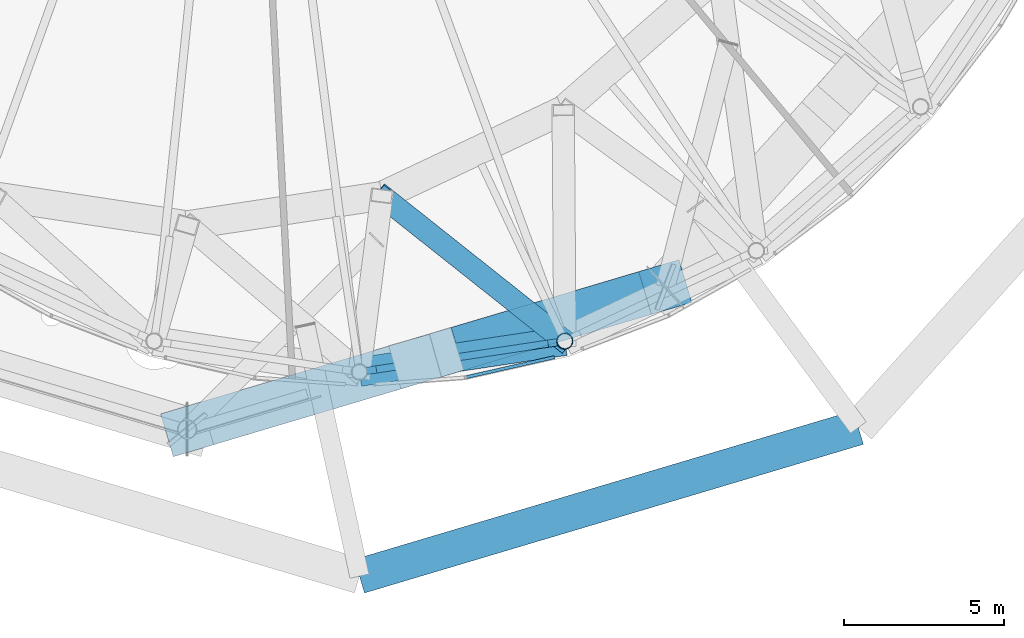
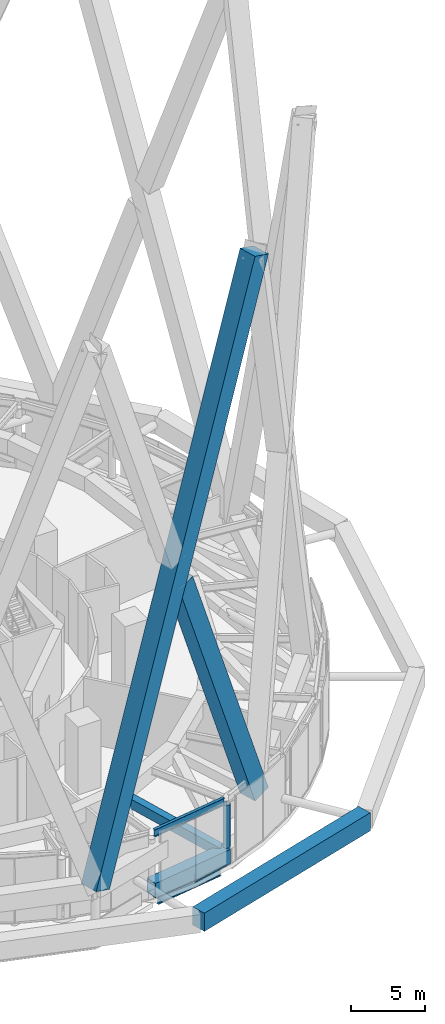
# One storey, part 15 of 60: 5 members, 4 beams, 1 element without a shape of its own.
"""IFC4 building model written with IfcOpenShell, lengths in metres."""

import ifcopenshell
import ifcopenshell.guid

model = None  # the IFC model being written
_history = None  # IfcOwnerHistory: only IFC2X3 demands one
_inside = {}  # id of a spatial element -> (the spatial element, [elements in it])
_under = {}  # id of a project, library or spatial element -> (it, [spatial elements below it])
_declared = {}  # id of a project -> (the project, [libraries it declares])
_typed = {}  # id of a type object -> (the type object, [elements of that type])
_made_of = {}  # id of a material, layer set ... -> (it, [elements and type objects made of it])


def new_model(schema):
    """Start an empty IFC model of exactly this schema.

    Asked for "IFC4X3", IfcOpenShell would pick the latest addendum, in which some entities
    have other attributes; the version numbers below select the first issue.
    IFC2X3 requires an IfcOwnerHistory on every rooted entity: one is made here for all.
    """
    global model, _history
    if schema == "IFC4X3":
        model = ifcopenshell.file(schema_version=(4, 3, 0, 0))
    else:
        model = ifcopenshell.file(schema=schema)
    _inside.clear()
    _under.clear()
    _declared.clear()
    _typed.clear()
    _made_of.clear()
    _history = None
    if model.schema == "IFC2X3":
        org = make("IfcOrganization", Name="unknown")
        user = make(
            "IfcPersonAndOrganization",
            ThePerson=make("IfcPerson", FamilyName="unknown"),
            TheOrganization=org,
        )
        app = make(
            "IfcApplication",
            ApplicationDeveloper=org,
            Version="unknown",
            ApplicationFullName="unknown",
            ApplicationIdentifier="unknown",
        )
        _history = make(
            "IfcOwnerHistory",
            OwningUser=user,
            OwningApplication=app,
            ChangeAction="ADDED",
            CreationDate=0,
        )
    return model


def make(cls, **values):
    """One entity of the class cls with the attributes given. An attribute that is None is left unset."""
    return model.create_entity(
        cls, **{name: value for name, value in values.items() if value is not None}
    )


def rooted(cls, **values):
    """An entity with a GlobalId (a new one), such as an element, a storey or a relation."""
    return make(cls, GlobalId=ifcopenshell.guid.new(), OwnerHistory=_history, **values)


def si_unit(unit_type, name, prefix=None):
    """IfcSIUnit, for example si_unit("LENGTHUNIT", "METRE", prefix="MILLI")."""
    return make("IfcSIUnit", UnitType=unit_type, Prefix=prefix, Name=name)


def assignment(units):
    """IfcUnitAssignment: the units of a project."""
    return None if units is None else make("IfcUnitAssignment", Units=units)


def point(xyz):
    """IfcCartesianPoint."""
    return None if xyz is None else make("IfcCartesianPoint", Coordinates=xyz)


def direction(xyz):
    """IfcDirection."""
    return None if xyz is None else make("IfcDirection", DirectionRatios=xyz)


def frame(location, z_axis=None, x_axis=None):
    """IfcAxis2Placement3D, a coordinate frame: its origin and axes. An axis left out is left unset."""
    return make(
        "IfcAxis2Placement3D",
        Location=point(location),
        Axis=direction(z_axis),
        RefDirection=direction(x_axis),
    )


def frame_2d(location, x_axis=None):
    """IfcAxis2Placement2D, a coordinate frame in the plane: its origin and x axis."""
    return make(
        "IfcAxis2Placement2D", Location=point(location), RefDirection=direction(x_axis)
    )


def origin():
    """The frame at (0, 0, 0) with its axes left unset."""
    return frame((0.0, 0.0, 0.0))


def origin_2d():
    """The frame at (0, 0) in the plane with its x axis left unset."""
    return frame_2d((0.0, 0.0))


def place(relative_to, where):
    """IfcLocalPlacement: puts the frame where relative to a parent placement (None: the world)."""
    return make(
        "IfcLocalPlacement", PlacementRelTo=relative_to, RelativePlacement=where
    )


def context(
    kind, dimensions, precision=None, world=None, true_north=None, identifier=None
):
    """IfcGeometricRepresentationContext, for example the 3D "Model" context."""
    return make(
        "IfcGeometricRepresentationContext",
        ContextIdentifier=identifier,
        ContextType=kind,
        CoordinateSpaceDimension=dimensions,
        Precision=precision,
        WorldCoordinateSystem=world,
        TrueNorth=true_north,
    )


def subcontext(parent, identifier, kind, view, scale=None):
    """IfcGeometricRepresentationSubContext, for example "Body" below "Model"."""
    return make(
        "IfcGeometricRepresentationSubContext",
        ContextIdentifier=identifier,
        ContextType=kind,
        ParentContext=parent,
        TargetScale=scale,
        TargetView=view,
    )


def project(units=None, contexts=None):
    """IfcProject with its units and contexts."""
    return rooted(
        "IfcProject",
        Name="project",
        RepresentationContexts=contexts,
        UnitsInContext=assignment(units),
    )


def spatial(cls, under=None, at=None, **own):
    """A site, building, storey or space (cls), placed at a placement, below another one or the project."""
    s = rooted(cls, ObjectPlacement=at, **own)
    if under is not None:
        _under.setdefault(under.id(), (under, []))[1].append(s)
    return s


def profile(cls, at=None, kind="AREA", **sizes):
    """A parametric profile (cls). Its sizes go by their IFC names, for example OverallWidth=200.0."""
    return make(cls, ProfileType=kind, Position=at, **sizes)


def rectangle(**sizes):
    """IfcRectangleProfileDef."""
    return profile("IfcRectangleProfileDef", **sizes)


def hollow_rectangle(**sizes):
    """IfcRectangleHollowProfileDef."""
    return profile("IfcRectangleHollowProfileDef", **sizes)


def hollow_circle(**sizes):
    """IfcCircleHollowProfileDef."""
    return profile("IfcCircleHollowProfileDef", **sizes)


def i_section(**sizes):
    """IfcIShapeProfileDef."""
    return profile("IfcIShapeProfileDef", **sizes)


def extrude(swept, where, along, depth):
    """IfcExtrudedAreaSolid: the profile swept, set in the frame where, extruded along a direction by depth."""
    return make(
        "IfcExtrudedAreaSolid",
        SweptArea=swept,
        Position=where,
        ExtrudedDirection=direction(along),
        Depth=depth,
    )


def shape(context_of_items, identifier, shape_type, items):
    """IfcShapeRepresentation: the items that make up one representation, for example the "Body"."""
    return make(
        "IfcShapeRepresentation",
        ContextOfItems=context_of_items,
        RepresentationIdentifier=identifier,
        RepresentationType=shape_type,
        Items=items,
    )


def material(Name=None, Category=None):
    """IfcMaterial."""
    return make("IfcMaterial", Name=Name, Category=Category)


def layer(
    of_material, thickness, ventilated=None, Name=None, Category=None, Priority=None
):
    """IfcMaterialLayer: one layer of a wall or slab, of a material (None: an air gap)."""
    return make(
        "IfcMaterialLayer",
        Material=of_material,
        LayerThickness=thickness,
        IsVentilated=ventilated,
        Name=Name,
        Category=Category,
        Priority=Priority,
    )


def layer_set(layers, Name=None):
    """IfcMaterialLayerSet."""
    return make("IfcMaterialLayerSet", MaterialLayers=layers, LayerSetName=Name)


def material_profile(
    of_material, cross_section, Name=None, Category=None, Priority=None
):
    """IfcMaterialProfile: a cross section and its material."""
    return make(
        "IfcMaterialProfile",
        Name=Name,
        Material=of_material,
        Profile=cross_section,
        Priority=Priority,
        Category=Category,
    )


def profile_set(profiles, Name=None, composite=None):
    """IfcMaterialProfileSet."""
    return make(
        "IfcMaterialProfileSet",
        Name=Name,
        MaterialProfiles=profiles,
        CompositeProfile=composite,
    )


def made_of(thing, what):
    """Note that an element or type object is made of a material, layer set ...; save() writes the relation."""
    if what is not None:
        _made_of.setdefault(what.id(), (what, []))[1].append(thing)
    return thing


def type_object(cls, material=None, **own):
    """A type object (cls), such as IfcWallType, which elements share."""
    return made_of(rooted(cls, **own), material)


def element(
    cls,
    number,
    at=None,
    inside=None,
    cuts=None,
    type_object=None,
    material=None,
    context=None,
    identifier="Body",
    shape_type=None,
    held_by="IfcProductDefinitionShape",
    body=None,
    shapes=None,
    **own,
):
    """One element of the class cls, such as IfcWall. Its Tag is "e" and its number.

    at: its placement. inside: the storey or other place that contains it. cuts: it is an
    opening in that element (IfcRelVoidsElement). A single representation is given by context,
    identifier, shape_type and body (its items); several are given by shapes. held_by: the class
    of the entity that holds the representations. save() writes the other relations.
    """
    e = rooted(cls, Tag="e%d" % number, ObjectPlacement=at, **own)
    if body is not None:
        shapes = [shape(context, identifier, shape_type, body)]
    if shapes is not None:
        e.Representation = make(held_by, Representations=shapes)
    if inside is not None:
        _inside.setdefault(inside.id(), (inside, []))[1].append(e)
    if cuts is not None:
        rooted(
            "IfcRelVoidsElement", RelatingBuildingElement=cuts, RelatedOpeningElement=e
        )
    if type_object is not None:
        _typed.setdefault(type_object.id(), (type_object, []))[1].append(e)
    return made_of(e, material)


def aggregate(whole, parts):
    """IfcRelAggregates: a whole, such as a stair, and the parts it consists of."""
    return rooted("IfcRelAggregates", RelatingObject=whole, RelatedObjects=parts)


def save(model, path):
    """Write the relations noted so far, then the file.

    IfcRelAggregates (storeys below a building ...), IfcRelContainedInSpatialStructure (elements
    in a storey), IfcRelDefinesByType, IfcRelAssociatesMaterial and IfcRelDeclares: one each for
    every whole, place, type object, material and project.
    """
    for whole, parts in _under.values():
        aggregate(whole, parts)
    for where, things in _inside.values():
        rooted(
            "IfcRelContainedInSpatialStructure",
            RelatedElements=things,
            RelatingStructure=where,
        )
    for kind, things in _typed.values():
        rooted("IfcRelDefinesByType", RelatedObjects=things, RelatingType=kind)
    for what, things in _made_of.values():
        rooted("IfcRelAssociatesMaterial", RelatedObjects=things, RelatingMaterial=what)
    for by, libraries in _declared.values():
        rooted("IfcRelDeclares", RelatingContext=by, RelatedDefinitions=libraries)
    model.write(path)


model = new_model("IFC4")

# Units and contexts
model_context = context("Model", 3, precision=1e-05, world=origin(), true_north=direction((0.0, 1.0)))
body_context = subcontext(model_context, "Body", "Model", "MODEL_VIEW")
ifc_project = project(units=[si_unit("LENGTHUNIT", "METRE"), si_unit("AREAUNIT", "SQUARE_METRE"), si_unit("VOLUMEUNIT", "CUBIC_METRE"), si_unit("PLANEANGLEUNIT", "RADIAN"), si_unit("MASSUNIT", "GRAM", prefix="KILO")], contexts=[model_context])

# Site, building, storey
site_placement = place(None, origin())
site = spatial("IfcSite", under=ifc_project, at=site_placement, CompositionType="ELEMENT")
building_placement = place(site_placement, origin())
building = spatial("IfcBuilding", under=site, at=building_placement, Name="Nagisa Residences", CompositionType="ELEMENT")
storey_placement = place(building_placement, frame((0.0, 0.0, 206.60009765625)))
storey = spatial("IfcBuildingStorey", under=building, at=storey_placement, Name="L52", CompositionType="ELEMENT", Elevation=206.60009765625)

# Beams
ifc_material_1 = material(Name="Steel ASTM A572 Gr 50", Category="steel")
ifc_material_profile_1 = material_profile(ifc_material_1, hollow_rectangle(XDim=0.89990234375, YDim=1.199951171875, WallThickness=0.044921875, at=origin_2d()), Name="BX 900x1200x45")
ifc_profile_set_1 = profile_set([ifc_material_profile_1], Name="Steel ASTM A572 Gr 50")
beam_type_1 = type_object("IfcBeamType", Name="Belt chord 4 BX 900x1200x45", PredefinedType="BEAM", material=ifc_profile_set_1)
beam_1_placement = place(storey_placement, frame((3.60009765625, -28.375, 0.599853515625), z_axis=(0.988911582679, 0.148505493645, 0.0), x_axis=(-0.148505493645, 0.988911582679, 0.0)))
element("IfcBeam", 1, at=beam_1_placement, inside=storey, type_object=beam_type_1, Name="beam:L52:bt4b19", PredefinedType="BEAM", context=body_context, shape_type="SweptSolid", body=[
    extrude(hollow_rectangle(XDim=0.89990234375, YDim=1.199951171875, WallThickness=0.044921875, at=origin_2d()), origin(), (0.0, 0.0, 1.0), 6.51025390625),
])
ifc_material_2 = material(Name="Steel ASTM A572 Gr 50", Category="steel")
ifc_material_profile_2 = material_profile(ifc_material_2, hollow_rectangle(XDim=0.699951171875, YDim=0.699951171875, WallThickness=0.0400390625, at=origin_2d()), Name="BX 700x700x40")
ifc_profile_set_2 = profile_set([ifc_material_profile_2], Name="Steel ASTM A572 Gr 50")
beam_type_2 = type_object("IfcBeamType", Name="Belt diagonal 4 BX 700x700x40", PredefinedType="BEAM", material=ifc_profile_set_2)
beam_2_placement = place(storey_placement, frame((10.0380859375, -27.408203125, 0.599853515625), z_axis=(-0.681979558999, 0.541068456178, 0.492086178262), x_axis=(-0.621527352888, -0.78339246206, 0.0)))
element("IfcBeam", 2, at=beam_2_placement, inside=storey, type_object=beam_type_2, Name="beam:L52:bt4da20", PredefinedType="BEAM", context=body_context, shape_type="SweptSolid", body=[
    extrude(hollow_rectangle(XDim=0.699951171875, YDim=0.699951171875, WallThickness=0.0400390625, at=origin_2d()), origin(), (0.0, 0.0, 1.0), 8.413330078125),
])

# Curtain wall, member
ifc_material_3 = material(Name="Aluminium curtain wall system", Category="aluminium")
ifc_layer = layer(ifc_material_3, 0.159912109375)
ifc_layer_set = layer_set([ifc_layer], Name="CW5 CURTAIN WALL")
curtain_wall_type = type_object("IfcCurtainWallType", Name="CW5 CURTAIN WALL", PredefinedType="NOTDEFINED", material=ifc_layer_set)
curtain_wall_placement = place(storey_placement, origin())
curtain_wall = element("IfcCurtainWall", 3, at=curtain_wall_placement, inside=storey, type_object=curtain_wall_type, Name="cw:CW5:L52:37", PredefinedType="NOTDEFINED")
ifc_material_4 = material(Name="Aluminium", Category="aluminium")
ifc_material_profile_3 = material_profile(ifc_material_4, rectangle(XDim=0.10009765625, YDim=0.1201171875, at=origin_2d()), Name="CW5 TRANSOM 100x120")
ifc_profile_set_3 = profile_set([ifc_material_profile_3], Name="Aluminium")
member_type_1 = type_object("IfcMemberType", Name="CW5 TRANSOM 100x120", PredefinedType="USERDEFINED", material=ifc_profile_set_3)
member_1_placement = place(storey_placement, frame((6.89453125, -28.550048828125, 0.059814453125), z_axis=(0.975311924704, 0.220831722202, 0.0), x_axis=(-0.220831722202, 0.975311924704, 0.0)))
member_1 = element("IfcMember", 4, at=member_1_placement, type_object=member_type_1, Name="CW5 transom", ObjectType="TRANSOM", PredefinedType="USERDEFINED", context=body_context, shape_type="SweptSolid", body=[
    extrude(rectangle(XDim=0.10009765625, YDim=0.1201171875, at=origin_2d()), origin(), (0.0, 0.0, 1.0), 2.8876953125),
])
aggregate(curtain_wall, [member_1])

# Members
ifc_material_5 = material(Name="Concrete C80", Category="concrete")
ifc_material_profile_4 = material_profile(ifc_material_5, rectangle(XDim=1.39990234375, YDim=1.39990234375, at=origin_2d()), Name="C80 1400x1400")
ifc_profile_set_4 = profile_set([ifc_material_profile_4], Name="Concrete C80")
member_type_2 = type_object("IfcMemberType", Name="Cage diagonal 5 C80 1400x1400", PredefinedType="BRACE", material=ifc_profile_set_4)
member_2_placement = place(storey_placement, frame((-1.800048828125, -30.17236328125, 3.699951171875), z_axis=(0.317705439745, 0.094557470361, 0.943462844184), x_axis=(-0.285259913253, 0.958450197919, 0.0)))
element("IfcMember", 5, at=member_2_placement, inside=storey, type_object=member_type_2, Name="mem:L52:cg5d019", PredefinedType="BRACE", context=body_context, shape_type="SweptSolid", body=[
    extrude(rectangle(XDim=1.39990234375, YDim=1.39990234375, at=origin_2d()), origin(), (0.0, 0.0, 1.0), 47.166748046875),
])
member_3_placement = place(storey_placement, frame((13.18505859375, -25.71240234375, 3.699951171875), z_axis=(-0.317705408319, -0.094554793248, 0.943463123073), x_axis=(0.285252520058, -0.958452398297, 0.0)))
element("IfcMember", 6, at=member_3_placement, inside=storey, type_object=member_type_2, Name="mem:L52:cg5d020a", PredefinedType="BRACE", context=body_context, shape_type="SweptSolid", body=[
    extrude(rectangle(XDim=1.39990234375, YDim=1.39990234375, at=origin_2d()), origin(), (0.0, 0.0, 1.0), 22.484130859375),
])
ifc_material_6 = material(Name="Concrete C80", Category="concrete")
ifc_material_profile_5 = material_profile(ifc_material_6, rectangle(XDim=1.10009765625, YDim=1.5, at=origin_2d()), Name="C80 1100x1500")
ifc_profile_set_5 = profile_set([ifc_material_profile_5], Name="Concrete C80")
member_type_3 = type_object("IfcMemberType", Name="Cage ring 4 C80 1100x1500", PredefinedType="CHORD", material=ifc_profile_set_5)
member_4_placement = place(storey_placement, frame((3.60009765625, -34.77490234375, 1.89990234375), z_axis=(0.958369394258, 0.285531266501, 0.0), x_axis=(-0.285531266501, 0.958369394258, 0.0)))
element("IfcMember", 7, at=member_4_placement, inside=storey, type_object=member_type_3, Name="beam:L52:cg4r110", PredefinedType="CHORD", context=body_context, shape_type="SweptSolid", body=[
    extrude(rectangle(XDim=1.10009765625, YDim=1.5, at=origin_2d()), origin(), (0.0, 0.0, 1.0), 16.316650390625),
])

# Beam
ifc_material_7 = material(Name="Steel ASTM A572 Gr 50", Category="steel")
ifc_material_profile_6 = material_profile(ifc_material_7, i_section(OverallWidth=0.22802734375, OverallDepth=0.60302734375, WebThickness=0.010498046875, FlangeThickness=0.014892578125, at=origin_2d()), Name="W610x101")
ifc_profile_set_6 = profile_set([ifc_material_profile_6], Name="Steel ASTM A572 Gr 50")
beam_type_3 = type_object("IfcBeamType", Name="Garden edge beam W610x101", PredefinedType="BEAM", material=ifc_profile_set_6)
beam_3_placement = place(storey_placement, frame((3.831298828125, -28.34033203125, 5.038330078125), z_axis=(0.988908180102, 0.148528149951, 0.0), x_axis=(-0.148528149951, 0.988908180102, 0.0)))
element("IfcBeam", 8, at=beam_3_placement, inside=storey, type_object=beam_type_3, Name="beam:L52:bt4ge19", PredefinedType="BEAM", context=body_context, shape_type="SweptSolid", body=[
    extrude(i_section(OverallWidth=0.22802734375, OverallDepth=0.60302734375, WebThickness=0.010498046875, FlangeThickness=0.014892578125, at=origin_2d()), origin(), (0.0, 0.0, 1.0), 6.04248046875),
])

# Member
ifc_material_8 = material(Name="Steel ASTM A572 Gr 65", Category="steel")
ifc_material_profile_7 = material_profile(ifc_material_8, hollow_circle(Radius=0.25390625, WallThickness=0.02001953125, at=origin_2d()), Name="CHS 508x20")
ifc_profile_set_7 = profile_set([ifc_material_profile_7], Name="Steel ASTM A572 Gr 65")
member_type_4 = type_object("IfcMemberType", Name="Garden edge post CHS 508x20", PredefinedType="POST", material=ifc_profile_set_7)
member_5_placement = place(storey_placement, frame((10.0380859375, -27.408203125, 1.199951171875), z_axis=(0.0, 0.0, 1.0), x_axis=(1.0, 0.0, 0.0)))
element("IfcMember", 9, at=member_5_placement, inside=storey, type_object=member_type_4, Name="mem:L52:gp420", PredefinedType="POST", context=body_context, shape_type="SweptSolid", body=[
    extrude(hollow_circle(Radius=0.25390625, WallThickness=0.02001953125, at=origin_2d()), origin(), (0.0, 0.0, 1.0), 3.536865234375),
])

# Beam
ifc_material_9 = material(Name="Steel ASTM A572 Gr 50", Category="steel")
ifc_material_profile_8 = material_profile(ifc_material_9, i_section(OverallWidth=0.22802734375, OverallDepth=0.60302734375, WebThickness=0.010498046875, FlangeThickness=0.014892578125, at=origin_2d()), Name="W610x101")
ifc_profile_set_8 = profile_set([ifc_material_profile_8], Name="Steel ASTM A572 Gr 50")
beam_type_4 = type_object("IfcBeamType", Name="Perimeter ring beam W610x101", PredefinedType="BEAM", material=ifc_profile_set_8)
beam_4_placement = place(storey_placement, frame((4.130126953125, -28.29541015625, -0.651611328125), z_axis=(0.988911312658, 0.148507291732, 0.0), x_axis=(-0.148507291732, 0.988911312658, 0.0)))
element("IfcBeam", 10, at=beam_4_placement, inside=storey, type_object=beam_type_4, Name="beam:L52:pb19", PredefinedType="BEAM", context=body_context, shape_type="SweptSolid", body=[
    extrude(i_section(OverallWidth=0.22802734375, OverallDepth=0.60302734375, WebThickness=0.010498046875, FlangeThickness=0.014892578125, at=origin_2d()), origin(), (0.0, 0.0, 1.0), 5.438232421875),
])

save(model, "model.ifc")
